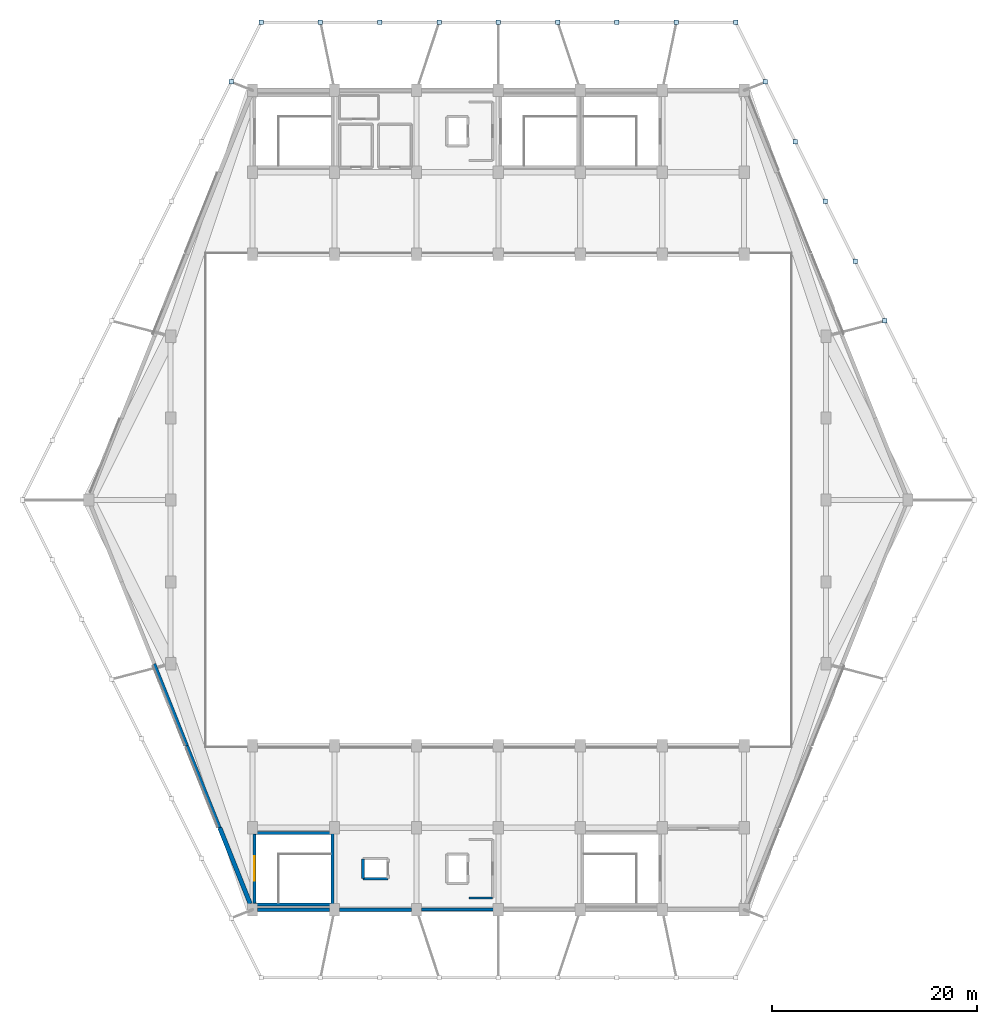
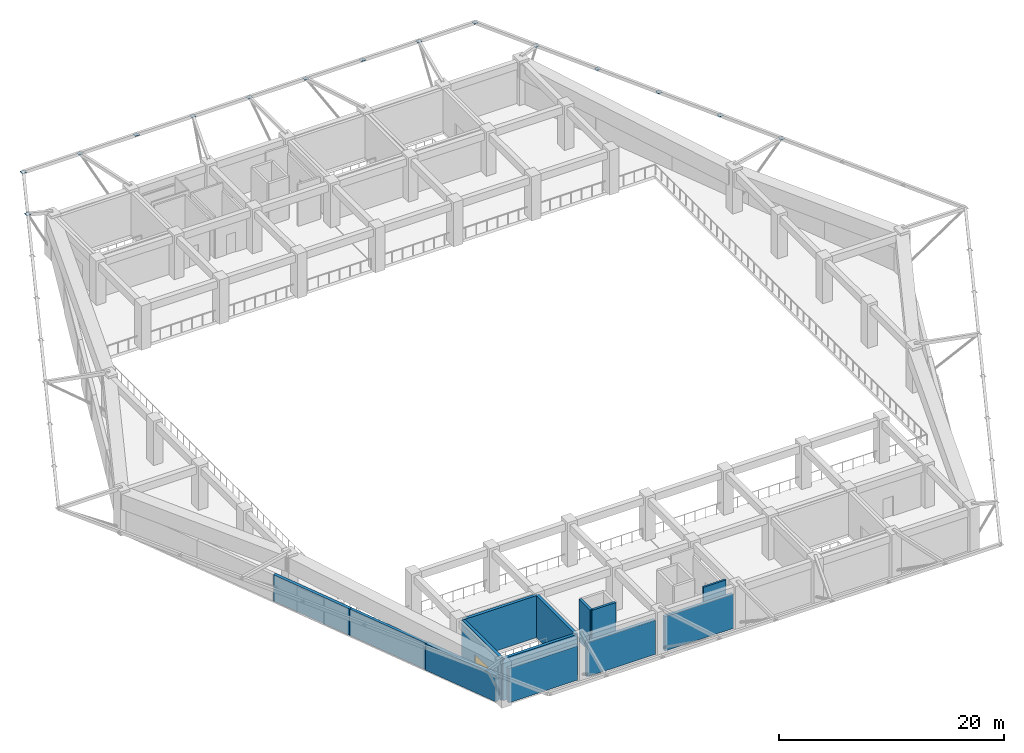
# One storey, part 4 of 9: 15 plates, 13 walls, 1 door, 1 opening.
"""IFC4 building model written with IfcOpenShell, lengths in metres."""

from ifc_helpers import new_model, si_unit, direction, frame, frame_2d, origin, origin_2d, place, context, subcontext, project, spatial, rectangle, extrude, material, layer, layer_set, type_object, element, fill, save


model = new_model("IFC4")

# Units and contexts
model_context = context("Model", 3, precision=1e-05, world=origin(), true_north=direction((0.0, 1.0)))
body_context = subcontext(model_context, "Body", "Model", "MODEL_VIEW")
ifc_project = project(units=[si_unit("LENGTHUNIT", "METRE"), si_unit("AREAUNIT", "SQUARE_METRE"), si_unit("VOLUMEUNIT", "CUBIC_METRE"), si_unit("PLANEANGLEUNIT", "RADIAN"), si_unit("MASSUNIT", "GRAM", prefix="KILO")], contexts=[model_context])

# Site, building, storey
site_placement = place(None, origin())
site = spatial("IfcSite", under=ifc_project, at=site_placement, CompositionType="ELEMENT")
building_placement = place(site_placement, origin())
building = spatial("IfcBuilding", under=site, at=building_placement, Name="Tazarka Park Arena", CompositionType="ELEMENT")
storey_placement = place(building_placement, frame((0.0, 0.0, 24.60009765625)))
storey = spatial("IfcBuildingStorey", under=building, at=storey_placement, Name="L05", CompositionType="ELEMENT", Elevation=24.60009765625)

# Plates
ifc_material_1 = material(Name="Steel S460", Category="steel")
ifc_layer_1 = layer(ifc_material_1, 0.028076171875, Name="Steel S460")
ifc_layer_set_1 = layer_set([ifc_layer_1], Name="Steel S460")
plate_type = type_object("IfcPlateType", Name="PLT-PL-13", PredefinedType="USERDEFINED", material=ifc_layer_set_1)
for number, where, z_axis, x_axis, name in (
    (1, (125.742431640625, 81.4931640625, 4.765625), (0.0, 0.0, 1.0), (1.0, 0.0, 0.0), "GMP-T-19"),
    (2, (122.826904296875, 87.32421875, 4.765625), (0.0, 0.0, 1.0), (1.0, 0.0, 0.0), "GMP-T-20"),
    (3, (119.911376953125, 93.155517578125, 4.765625), (0.0, 0.0, 1.0), (1.0, 0.0, 0.0), "GMP-T-21"),
    (4, (116.995849609375, 98.986572265625, 4.765625), (0.0, 0.0, 1.0), (1.0, 0.0, 0.0), "GMP-T-22"),
    (5, (114.080322265625, 104.8173828125, 4.765625), (0.0, 0.0, 1.0), (1.0, 0.0, 0.0), "GMP-T-23"),
    (6, (111.164794921875, 110.648681640625, 4.765625), (0.0, 0.0, 1.0), (1.0, 0.0, 0.0), "GMP-T-24"),
    (7, (105.37353515625, 110.648681640625, 4.765625), (0.0, 0.0, 1.0), (1.0, 0.0, 0.0), "GMP-T-25"),
    (8, (99.58251953125, 110.648681640625, 4.765625), (0.0, 0.0, 1.0), (1.0, 0.0, 0.0), "GMP-T-26"),
    (9, (93.791259765625, 110.648681640625, 4.765625), (0.0, 0.0, 1.0), (1.0, 0.0, 0.0), "GMP-T-27"),
    (10, (88.0, 110.648681640625, 4.765625), (0.0, 0.0, 1.0), (1.0, 0.0, 0.0), "GMP-T-28"),
    (11, (82.208740234375, 110.648681640625, 4.765625), (0.0, 0.0, 1.0), (1.0, 0.0, 0.0), "GMP-T-29"),
    (12, (76.41748046875, 110.648681640625, 4.765625), (0.0, 0.0, 1.0), (1.0, 0.0, 0.0), "GMP-T-30"),
    (13, (70.62646484375, 110.648681640625, 4.765625), (0.0, 0.0, 1.0), (1.0, 0.0, 0.0), "GMP-T-31"),
    (14, (64.835205078125, 110.648681640625, 4.765625), (0.0, 0.0, 1.0), (1.0, 0.0, 0.0), "GMP-T-32"),
    (15, (61.919677734375, 104.8173828125, 4.765625), (0.0, 0.0, 1.0), (1.0, 0.0, 0.0), "GMP-T-33"),
):
    element("IfcPlate", number, at=place(storey_placement, frame(where, z_axis=z_axis, x_axis=x_axis)), inside=storey, type_object=plate_type, Name=name, ObjectType="STIFFENER", PredefinedType="USERDEFINED", context=body_context, shape_type="SweptSolid", body=[
        extrude(rectangle(XDim=0.43994140625, YDim=0.43994140625, at=origin_2d()), origin(), (0.0, 0.0, 1.0), 0.028076171875),
    ])

# Wall
ifc_material_2 = material(Name="Concrete C40/50", Category="concrete")
ifc_layer_2 = layer(ifc_material_2, 0.300048828125, Name="Concrete C40/50")
ifc_layer_set_2 = layer_set([ifc_layer_2], Name="Concrete C40/50")
wall_type_1 = type_object("IfcWallType", Name="IWAL-CW-S1", PredefinedType="SHEAR", material=ifc_layer_set_2)
wall_1_placement = place(storey_placement, frame((71.800048828125, 24.5, 0.0), z_axis=(0.0, 0.0, 1.0), x_axis=(-1.0, 0.0, 0.0)))
element("IfcWall", 16, at=wall_1_placement, inside=storey, type_object=wall_type_1, Name="SCW-L05-ST09-S", PredefinedType="SHEAR", context=body_context, shape_type="SweptSolid", body=[
    extrude(rectangle(XDim=7.60009765625, YDim=0.300048828125, at=frame_2d((3.800048828125, 0.0))), origin(), (0.0, 0.0, 1.0), 4.5498046875),
])

# Wall, opening, door
wall_2_placement = place(storey_placement, frame((64.199951171875, 24.5, 0.0), z_axis=(0.0, 0.0, 1.0), x_axis=(0.0, 1.0, 0.0)))
wall_2 = element("IfcWall", 17, at=wall_2_placement, inside=storey, type_object=wall_type_1, Name="SCW-L05-ST09-W", PredefinedType="SHEAR", context=body_context, shape_type="SweptSolid", body=[
    extrude(rectangle(XDim=7.0, YDim=0.300048828125, at=frame_2d((3.5, 0.0))), origin(), (0.0, 0.0, 1.0), 4.5498046875),
])
opening_placement = place(wall_2_placement, frame((2.300048828125, 0.0, 0.0)))
opening = element("IfcOpeningElement", 18, at=opening_placement, cuts=wall_2, Name="Opening ID-05", PredefinedType="OPENING", context=body_context, shape_type="SweptSolid", body=[
    extrude(rectangle(XDim=2.39990234375, YDim=2.199951171875, at=frame_2d((1.199951171875, 1.10009765625))), frame((0.0, 0.16015625, 0.0), z_axis=(0.0, -1.0, 0.0), x_axis=(1.0, 0.0, 0.0)), (0.0, 0.0, 1.0), 0.320068359375),
])
ifc_material_3 = material(Name="Fire-rated powder-coated steel and acoustic timber", Category="steel")
door_type = type_object("IfcDoorType", Name="IDR-ID-05", OperationType="NOTDEFINED", PredefinedType="DOOR", material=ifc_material_3)
door_placement = place(opening_placement, frame((2.39990234375, 0.0, 0.0), z_axis=(0.0, 0.0, 1.0), x_axis=(-1.0, 0.0, 0.0)))
door = element("IfcDoor", 19, at=door_placement, inside=storey, type_object=door_type, Name="Exit Stair Door ST09-L05", OperationType="DOUBLE_DOOR_SINGLE_SWING", OverallHeight=2.199951171875, OverallWidth=2.39990234375, PredefinedType="DOOR", context=body_context, shape_type="SweptSolid", body=[
    extrude(rectangle(XDim=2.39990234375, YDim=2.199951171875, at=frame_2d((1.199951171875, 1.10009765625))), frame((0.0, 0.02490234375, 0.0), z_axis=(0.0, -1.0, 0.0), x_axis=(1.0, 0.0, 0.0)), (0.0, 0.0, 1.0), 0.050048828125),
])
fill(opening, door)

# Walls
wall_3_placement = place(storey_placement, frame((64.199951171875, 31.5, 0.0), z_axis=(0.0, 0.0, 1.0), x_axis=(1.0, 0.0, 0.0)))
element("IfcWall", 20, at=wall_3_placement, inside=storey, type_object=wall_type_1, Name="SCW-L05-ST09-N", PredefinedType="SHEAR", context=body_context, shape_type="SweptSolid", body=[
    extrude(rectangle(XDim=7.60009765625, YDim=0.300048828125, at=frame_2d((3.800048828125, 0.0))), origin(), (0.0, 0.0, 1.0), 4.5498046875),
])
wall_4_placement = place(storey_placement, frame((71.800048828125, 31.5, 0.0), z_axis=(0.0, 0.0, 1.0), x_axis=(0.0, -1.0, 0.0)))
element("IfcWall", 21, at=wall_4_placement, inside=storey, type_object=wall_type_1, Name="SCW-L05-ST09-E", PredefinedType="SHEAR", context=body_context, shape_type="SweptSolid", body=[
    extrude(rectangle(XDim=7.0, YDim=0.300048828125, at=frame_2d((3.5, 0.0))), origin(), (0.0, 0.0, 1.0), 4.5498046875),
])
ifc_material_4 = material(Name="Concrete C40/50", Category="concrete")
ifc_layer_3 = layer(ifc_material_4, 0.260009765625, Name="Concrete C40/50")
ifc_layer_set_3 = layer_set([ifc_layer_3], Name="Concrete C40/50")
wall_type_2 = type_object("IfcWallType", Name="IWAL-CW-S3", PredefinedType="SHEAR", material=ifc_layer_set_3)
wall_5_placement = place(storey_placement, frame((74.780029296875, 27.030029296875, 0.0), z_axis=(0.0, 0.0, 1.0), x_axis=(0.0, 1.0, 0.0)))
element("IfcWall", 22, at=wall_5_placement, inside=storey, type_object=wall_type_2, Name="LSW-L05-LF-08-W", PredefinedType="SHEAR", context=body_context, shape_type="SweptSolid", body=[
    extrude(rectangle(XDim=1.93994140625, YDim=0.260009765625, at=frame_2d((0.969970703125, 0.0))), origin(), (0.0, 0.0, 1.0), 4.5498046875),
])
wall_6_placement = place(storey_placement, frame((77.219970703125, 27.030029296875, 0.0), z_axis=(0.0, 0.0, 1.0), x_axis=(-1.0, 0.0, 0.0)))
element("IfcWall", 23, at=wall_6_placement, inside=storey, type_object=wall_type_2, Name="LSW-L05-LF-08-S", PredefinedType="SHEAR", context=body_context, shape_type="SweptSolid", body=[
    extrude(rectangle(XDim=2.43994140625, YDim=0.260009765625, at=frame_2d((1.219970703125, 0.0))), origin(), (0.0, 0.0, 1.0), 4.5498046875),
])
ifc_material_5 = material(Name="Reinforced masonry compartment wall", Category="masonry")
ifc_layer_4 = layer(ifc_material_5, 0.199951171875, Name="Reinforced masonry compartment wall")
ifc_layer_set_4 = layer_set([ifc_layer_4], Name="Reinforced masonry compartment wall")
wall_type_3 = type_object("IfcWallType", Name="IWAL-PT-04", PredefinedType="PARTITIONING", material=ifc_layer_set_4)
wall_7_placement = place(storey_placement, frame((87.449951171875, 25.14990234375, 0.0), z_axis=(0.0, 0.0, 1.0), x_axis=(-1.0, 0.0, 0.0)))
element("IfcWall", 24, at=wall_7_placement, inside=storey, type_object=wall_type_3, Name="FFW-L05-LF-04-S", PredefinedType="PARTITIONING", context=body_context, shape_type="SweptSolid", body=[
    extrude(rectangle(XDim=2.300048828125, YDim=0.199951171875, at=frame_2d((1.14990234375, 0.0))), origin(), (0.0, 0.0, 1.0), 4.5498046875),
])
ifc_material_6 = material(Name="Precast concrete C40/50", Category="concrete")
ifc_layer_5 = layer(ifc_material_6, 0.300048828125, Name="Precast concrete C40/50")
ifc_layer_set_5 = layer_set([ifc_layer_5], Name="Precast concrete C40/50")
wall_type_4 = type_object("IfcWallType", Name="WAL-EW-01", PredefinedType="SOLIDWALL", material=ifc_layer_set_5)
wall_8_placement = place(storey_placement, frame((60.800048828125, 32.0, 0.0), z_axis=(0.0, 0.0, 1.0), x_axis=(-0.371385791018, 0.928478645005, 0.0)))
element("IfcWall", 25, at=wall_8_placement, inside=storey, type_object=wall_type_4, Name="EW-L05-0384", PredefinedType="SOLIDWALL", context=body_context, shape_type="SweptSolid", body=[
    extrude(rectangle(XDim=8.6162109375, YDim=0.300048828125, at=frame_2d((4.30810546875, 0.0))), origin(), (0.0, 0.0, 1.0), 2.85986328125),
])
ifc_material_7 = material(Name="Precast concrete C40/50", Category="concrete")
ifc_layer_6 = layer(ifc_material_7, 0.320068359375, Name="Precast concrete C40/50")
ifc_layer_set_6 = layer_set([ifc_layer_6], Name="Precast concrete C40/50")
wall_type_5 = type_object("IfcWallType", Name="WAL-EW-02", PredefinedType="SOLIDWALL", material=ifc_layer_set_6)
wall_9_placement = place(storey_placement, frame((57.60009765625, 40.0, 0.0), z_axis=(0.0, 0.0, 1.0), x_axis=(-0.37141021739, 0.928468874232, 0.0)))
element("IfcWall", 26, at=wall_9_placement, inside=storey, type_object=wall_type_5, Name="EW-L05-0385", PredefinedType="SOLIDWALL", context=body_context, shape_type="SweptSolid", body=[
    extrude(rectangle(XDim=8.616455078125, YDim=0.320068359375, at=frame_2d((4.30810546875, 0.0))), origin(), (0.0, 0.0, 1.0), 2.85986328125),
])
ifc_material_8 = material(Name="Precast concrete C40/50", Category="concrete")
ifc_layer_7 = layer(ifc_material_8, 0.31005859375, Name="Precast concrete C40/50")
ifc_layer_set_7 = layer_set([ifc_layer_7], Name="Precast concrete C40/50")
wall_type_6 = type_object("IfcWallType", Name="WAL-EW-08", PredefinedType="SOLIDWALL", material=ifc_layer_set_7)
wall_10_placement = place(storey_placement, frame((87.52001953125, 24.0, 0.0), z_axis=(0.0, 0.0, 1.0), x_axis=(-1.0, 0.0, 0.0)))
element("IfcWall", 27, at=wall_10_placement, inside=storey, type_object=wall_type_6, Name="EW-L05-0359", PredefinedType="SOLIDWALL", context=body_context, shape_type="SweptSolid", body=[
    extrude(rectangle(XDim=7.0400390625, YDim=0.31005859375, at=frame_2d((3.52001953125, 0.0))), origin(), (0.0, 0.0, 1.0), 3.7099609375),
])
ifc_material_9 = material(Name="Concrete C40/50", Category="concrete")
ifc_layer_8 = layer(ifc_material_9, 0.330078125, Name="Concrete C40/50")
ifc_layer_set_8 = layer_set([ifc_layer_8], Name="Concrete C40/50")
wall_type_7 = type_object("IfcWallType", Name="WAL-EW-09", PredefinedType="SOLIDWALL", material=ifc_layer_set_8)
wall_11_placement = place(storey_placement, frame((79.52001953125, 24.0, 0.0), z_axis=(0.0, 0.0, 1.0), x_axis=(-1.0, 0.0, 0.0)))
element("IfcWall", 28, at=wall_11_placement, inside=storey, type_object=wall_type_7, Name="EW-L05-0360", PredefinedType="SOLIDWALL", context=body_context, shape_type="SweptSolid", body=[
    extrude(rectangle(XDim=7.0400390625, YDim=0.330078125, at=frame_2d((3.52001953125, 0.0))), origin(), (0.0, 0.0, 1.0), 3.7099609375),
])
ifc_material_10 = material(Name="Concrete C40/50", Category="concrete")
ifc_layer_9 = layer(ifc_material_10, 0.35009765625, Name="Concrete C40/50")
ifc_layer_set_9 = layer_set([ifc_layer_9], Name="Concrete C40/50")
wall_type_8 = type_object("IfcWallType", Name="WAL-EW-10", PredefinedType="SOLIDWALL", material=ifc_layer_set_9)
wall_12_placement = place(storey_placement, frame((71.52001953125, 24.0, 0.0), z_axis=(0.0, 0.0, 1.0), x_axis=(-1.0, 0.0, 0.0)))
element("IfcWall", 29, at=wall_12_placement, inside=storey, type_object=wall_type_8, Name="EW-L05-0361", PredefinedType="SOLIDWALL", context=body_context, shape_type="SweptSolid", body=[
    extrude(rectangle(XDim=7.0400390625, YDim=0.35009765625, at=frame_2d((3.52001953125, 0.0))), origin(), (0.0, 0.0, 1.0), 3.7099609375),
])
ifc_material_11 = material(Name="Concrete C50/60", Category="concrete")
ifc_layer_10 = layer(ifc_material_11, 0.429931640625, Name="Concrete C50/60")
ifc_layer_set_10 = layer_set([ifc_layer_10], Name="Concrete C50/60")
wall_type_9 = type_object("IfcWallType", Name="WAL-EW-16", PredefinedType="SOLIDWALL", material=ifc_layer_set_10)
wall_13_placement = place(storey_placement, frame((63.76806640625, 24.580078125, 0.0), z_axis=(0.0, 0.0, 1.0), x_axis=(-0.371395943584, 0.928474583976, 0.0)))
element("IfcWall", 30, at=wall_13_placement, inside=storey, type_object=wall_type_9, Name="EW-L05-0383", PredefinedType="SOLIDWALL", context=body_context, shape_type="SweptSolid", body=[
    extrude(rectangle(XDim=7.991455078125, YDim=0.429931640625, at=frame_2d((3.99560546875, 0.0))), origin(), (0.0, 0.0, 1.0), 2.85986328125),
])

save(model, "model.ifc")
